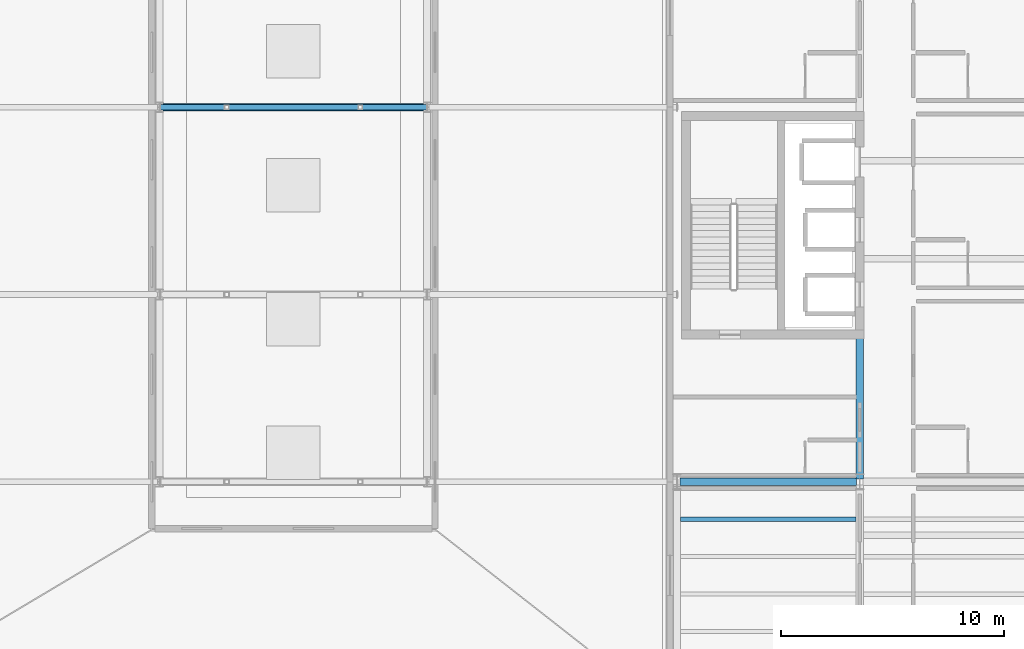
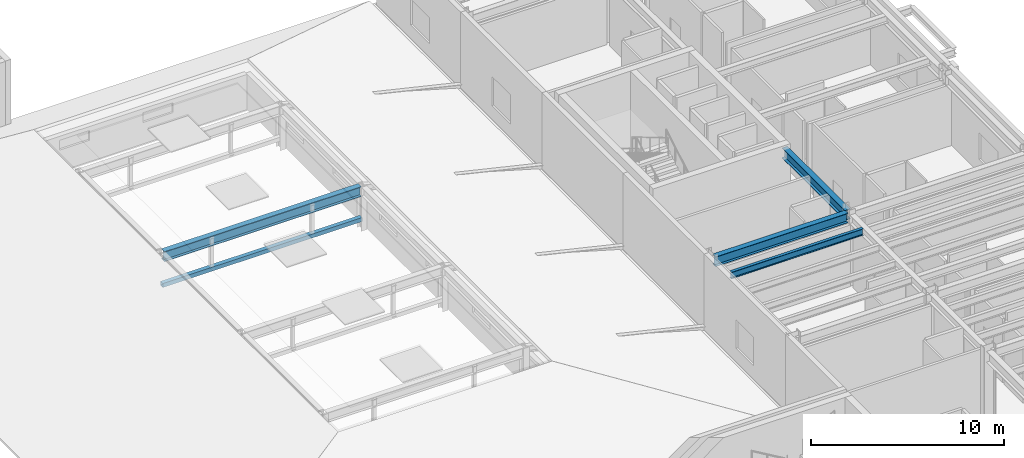
# One storey, part 50 of 91: 4 beams, 1 member.
"""IFC4 building model written with IfcOpenShell, lengths in metres."""

from ifc_helpers import new_model, si_unit, direction, frame, origin, origin_2d, place, context, subcontext, project, spatial, hollow_rectangle, i_section, extrude, material, material_profile, profile_set, type_object, element, save


model = new_model("IFC4")

# Units and contexts
model_context = context("Model", 3, precision=1e-05, world=origin(), true_north=direction((0.0, 1.0)))
body_context = subcontext(model_context, "Body", "Model", "MODEL_VIEW")
ifc_project = project(units=[si_unit("LENGTHUNIT", "METRE"), si_unit("AREAUNIT", "SQUARE_METRE"), si_unit("VOLUMEUNIT", "CUBIC_METRE"), si_unit("PLANEANGLEUNIT", "RADIAN"), si_unit("MASSUNIT", "GRAM", prefix="KILO")], contexts=[model_context])

# Site, building, storey
site_placement = place(None, origin())
site = spatial("IfcSite", under=ifc_project, at=site_placement, CompositionType="ELEMENT")
building_placement = place(site_placement, origin())
building = spatial("IfcBuilding", under=site, at=building_placement, Name="Sollismere Congress Hotel", CompositionType="ELEMENT")
storey_placement = place(building_placement, frame((0.0, 0.0, 10.800048828125)))
storey = spatial("IfcBuildingStorey", under=building, at=storey_placement, Name="L02", CompositionType="ELEMENT", Elevation=10.800048828125)

# Beams
ifc_material_1 = material(Name="Steel ASTM A992 Grade 50", Category="steel")
ifc_material_profile_1 = material_profile(ifc_material_1, i_section(OverallWidth=0.324951171875, OverallDepth=0.612060546875, WebThickness=0.0126953125, FlangeThickness=0.01904296875, at=origin_2d()), Name="W24X104")
ifc_profile_set_1 = profile_set([ifc_material_profile_1], Name="Steel ASTM A992 Grade 50")
beam_type_1 = type_object("IfcBeamType", Name="BM-G24", PredefinedType="BEAM", material=ifc_profile_set_1)
beam_1_placement = place(storey_placement, frame((147.340087890625, 33.199951171875, 4.19384765625), z_axis=(1.0, 0.0, 0.0), x_axis=(0.0, 1.0, 0.0)))
element("IfcBeam", 1, at=beam_1_placement, inside=storey, type_object=beam_type_1, Name="Beam BM-L02-2012", PredefinedType="BEAM", context=body_context, shape_type="SweptSolid", body=[
    extrude(i_section(OverallWidth=0.324951171875, OverallDepth=0.612060546875, WebThickness=0.0126953125, FlangeThickness=0.01904296875, at=origin_2d()), origin(), (0.0, 0.0, 1.0), 7.919921875),
])
ifc_material_profile_2 = material_profile(ifc_material_1, i_section(OverallWidth=0.330078125, OverallDepth=0.635009765625, WebThickness=0.017822265625, FlangeThickness=0.031005859375, at=origin_2d()), Name="W24X162")
ifc_profile_set_2 = profile_set([ifc_material_profile_2], Name="Steel ASTM A992 Grade 50")
beam_type_2 = type_object("IfcBeamType", Name="BM-G24H", PredefinedType="BEAM", material=ifc_profile_set_2)
beam_2_placement = place(storey_placement, frame((124.1201171875, 50.0, 2.46240234375), z_axis=(1.0, 0.0, 0.0), x_axis=(0.0, 1.0, 0.0)))
element("IfcBeam", 2, at=beam_2_placement, inside=storey, type_object=beam_type_2, Name="Beam BM-L02-3858", PredefinedType="BEAM", context=body_context, shape_type="SweptSolid", body=[
    extrude(i_section(OverallWidth=0.330078125, OverallDepth=0.635009765625, WebThickness=0.017822265625, FlangeThickness=0.031005859375, at=origin_2d()), origin(), (0.0, 0.0, 1.0), 11.759765625),
])
beam_3_placement = place(storey_placement, frame((155.39990234375, 33.320068359375, 4.182373046875), z_axis=(0.0, 1.0, 0.0), x_axis=(-1.0, 0.0, 0.0)))
element("IfcBeam", 3, at=beam_3_placement, inside=storey, type_object=beam_type_2, Name="Beam BM-L02-3875", PredefinedType="BEAM", context=body_context, shape_type="SweptSolid", body=[
    extrude(i_section(OverallWidth=0.330078125, OverallDepth=0.635009765625, WebThickness=0.017822265625, FlangeThickness=0.031005859375, at=origin_2d()), origin(), (0.0, 0.0, 1.0), 6.530029296875),
])
ifc_material_profile_3 = material_profile(ifc_material_1, i_section(OverallWidth=0.180908203125, OverallDepth=0.4169921875, WebThickness=0.010986328125, FlangeThickness=0.018310546875, at=origin_2d()), Name="W16X57")
ifc_profile_set_3 = profile_set([ifc_material_profile_3], Name="Steel ASTM A992 Grade 50")
beam_type_3 = type_object("IfcBeamType", Name="BM-J16", PredefinedType="JOIST", material=ifc_profile_set_3)
beam_4_placement = place(storey_placement, frame((147.357421875, 31.52001953125, 4.29150390625), z_axis=(1.0, 0.0, 0.0), x_axis=(0.0, 1.0, 0.0)))
element("IfcBeam", 4, at=beam_4_placement, inside=storey, type_object=beam_type_3, Name="Beam BM-L02-2306", PredefinedType="JOIST", context=body_context, shape_type="SweptSolid", body=[
    extrude(i_section(OverallWidth=0.180908203125, OverallDepth=0.4169921875, WebThickness=0.010986328125, FlangeThickness=0.018310546875, at=origin_2d()), origin(), (0.0, 0.0, 1.0), 7.885009765625),
])

# Member
ifc_material_2 = material(Name="Steel ASTM A500 Grade C", Category="steel")
ifc_material_profile_4 = material_profile(ifc_material_2, hollow_rectangle(XDim=0.25, YDim=0.25, WallThickness=0.010009765625, at=origin_2d()), Name="HSS250X250X10")
ifc_profile_set_4 = profile_set([ifc_material_profile_4], Name="Steel ASTM A500 Grade C")
member_type = type_object("IfcMemberType", Name="MB-CH250", PredefinedType="CHORD", material=ifc_profile_set_4)
member_placement = place(storey_placement, frame((124.0400390625, 50.0, 0.64990234375), z_axis=(1.0, 0.0, 0.0), x_axis=(0.0, 1.0, 0.0)))
element("IfcMember", 5, at=member_placement, inside=storey, type_object=member_type, Name="MEM-CH-S03", PredefinedType="CHORD", context=body_context, shape_type="SweptSolid", body=[
    extrude(hollow_rectangle(XDim=0.25, YDim=0.25, WallThickness=0.010009765625, at=origin_2d()), origin(), (0.0, 0.0, 1.0), 11.919921875),
])

save(model, "model.ifc")
